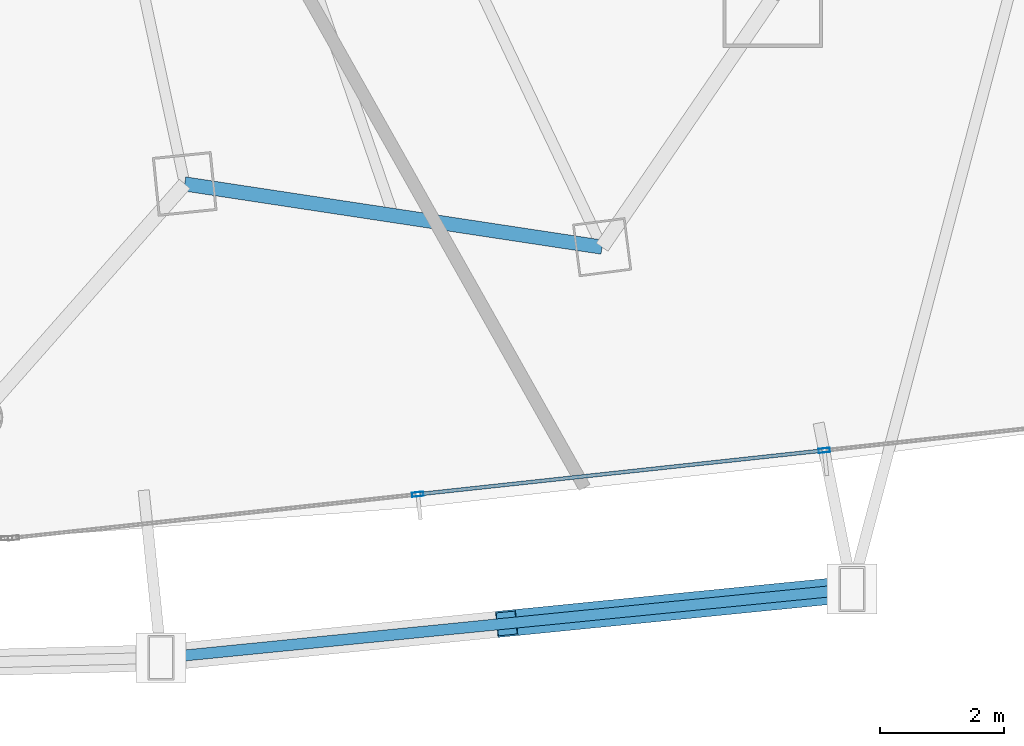
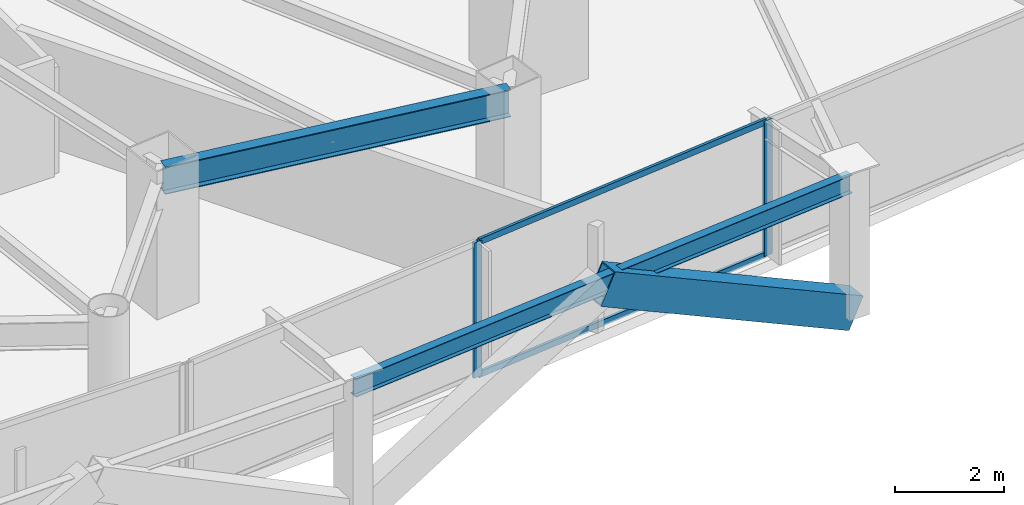
# One storey, part 14 of 38: 5 members, 2 beams, 1 element without a shape of its own.
"""IFC4 building model written with IfcOpenShell, lengths in metres."""

from ifc_helpers import new_model, si_unit, direction, frame, origin, origin_2d, place, context, subcontext, project, spatial, hollow_rectangle, i_section, extrude, material, layer, layer_set, material_profile, profile_set, type_object, element, aggregate, save


model = new_model("IFC4")

# Units and contexts
model_context = context("Model", 3, precision=1e-05, world=origin(), true_north=direction((0.0, 1.0)))
body_context = subcontext(model_context, "Body", "Model", "MODEL_VIEW")
ifc_project = project(units=[si_unit("LENGTHUNIT", "METRE"), si_unit("AREAUNIT", "SQUARE_METRE"), si_unit("VOLUMEUNIT", "CUBIC_METRE"), si_unit("PLANEANGLEUNIT", "RADIAN"), si_unit("MASSUNIT", "GRAM", prefix="KILO")], contexts=[model_context])

# Site, building, storey
site_placement = place(None, origin())
site = spatial("IfcSite", under=ifc_project, at=site_placement, CompositionType="ELEMENT")
building_placement = place(site_placement, origin())
building = spatial("IfcBuilding", under=site, at=building_placement, Name="Orvanel Arch Residences", CompositionType="ELEMENT")
storey_placement = place(building_placement, frame((0.0, 0.0, 56.60009765625)))
storey = spatial("IfcBuildingStorey", under=building, at=storey_placement, Name="L15", CompositionType="ELEMENT", Elevation=56.60009765625)

# Member
ifc_material_1 = material(Name="Structural steel AS/NZS 3678 Grade 350", Category="steel")
ifc_material_profile_1 = material_profile(ifc_material_1, hollow_rectangle(XDim=0.419921875, YDim=0.719970703125, WallThickness=0.02490234375, at=origin_2d()), Name="RHS720x420x25")
ifc_profile_set_1 = profile_set([ifc_material_profile_1], Name="Structural steel AS/NZS 3678 Grade 350")
member_type_1 = type_object("IfcMemberType", Name="BR-720RHS-EXT", PredefinedType="BRACE", material=ifc_profile_set_1)
member_1_placement = place(storey_placement, frame((53.076904296875, 0.843017578125, 0.0), z_axis=(-0.888299543373, -0.088318247551, 0.450692587461), x_axis=(0.09893615251, -0.995093783383, 0.0)))
element("IfcMember", 1, at=member_1_placement, inside=storey, type_object=member_type_1, Name="L15 Exterior Sky-Garden V-Frame Chevron F2B3.2", PredefinedType="BRACE", context=body_context, shape_type="SweptSolid", body=[
    extrude(hollow_rectangle(XDim=0.419921875, YDim=0.719970703125, WallThickness=0.02490234375, at=origin_2d()), origin(), (0.0, 0.0, 1.0), 6.250244140625),
])

# Curtain wall, members
ifc_material_2 = material(Name="Bronze-anodised aluminium AA6063-T6", Category="aluminium")
ifc_layer = layer(ifc_material_2, 0.179931640625)
ifc_layer_set = layer_set([ifc_layer], Name="Bronze-anodised aluminium AA6063-T6")
curtain_wall_type = type_object("IfcCurtainWallType", Name="CW2-LOW-SYS", PredefinedType="NOTDEFINED", material=ifc_layer_set)
curtain_wall_placement = place(storey_placement, origin())
curtain_wall = element("IfcCurtainWall", 2, at=curtain_wall_placement, inside=storey, type_object=curtain_wall_type, Name="L15 CW2-LOW-SYS Unitised Curtain Wall", PredefinedType="NOTDEFINED")
ifc_material_profile_2 = material_profile(ifc_material_2, hollow_rectangle(XDim=0.070068359375, YDim=0.179931640625, WallThickness=0.00439453125, at=origin_2d()), Name="ALU180x70x4.5")
ifc_profile_set_2 = profile_set([ifc_material_profile_2], Name="Bronze-anodised aluminium AA6063-T6")
member_type_2 = type_object("IfcMemberType", Name="MUL-180x70", PredefinedType="MULLION", material=ifc_profile_set_2)
member_2_placement = place(storey_placement, frame((46.096923828125, 2.367431640625, 0.0), z_axis=(0.0, 0.0, 1.0), x_axis=(-0.107357145401, 0.994220520474, 0.0)))
member_2 = element("IfcMember", 3, at=member_2_placement, type_object=member_type_2, Name="CW-S2 mullion 2", PredefinedType="MULLION", context=body_context, shape_type="SweptSolid", body=[
    extrude(hollow_rectangle(XDim=0.070068359375, YDim=0.179931640625, WallThickness=0.00439453125, at=origin_2d()), origin(), (0.0, 0.0, 1.0), 3.02001953125),
])
member_3_placement = place(storey_placement, frame((52.62890625, 3.07275390625, 0.0), z_axis=(0.0, 0.0, 1.0), x_axis=(-0.107357145401, 0.994220520474, 0.0)))
member_3 = element("IfcMember", 4, at=member_3_placement, type_object=member_type_2, Name="CW-S2 mullion 3", PredefinedType="MULLION", context=body_context, shape_type="SweptSolid", body=[
    extrude(hollow_rectangle(XDim=0.070068359375, YDim=0.179931640625, WallThickness=0.00439453125, at=origin_2d()), origin(), (0.0, 0.0, 1.0), 3.02001953125),
])

# Beams
ifc_material_3 = material(Name="Structural steel AS/NZS 3679.1 Grade 300 (300 MPa)", Category="steel")
ifc_material_profile_3 = material_profile(ifc_material_3, i_section(OverallWidth=0.177978515625, OverallDepth=0.406005859375, WebThickness=0.0078125, FlangeThickness=0.0126953125, at=origin_2d()), Name="410UB59.7")
ifc_profile_set_3 = profile_set([ifc_material_profile_3], Name="Structural steel AS/NZS 3679.1 Grade 300 (300 MPa)")
beam_type_1 = type_object("IfcBeamType", Name="OB-410UB-EXT", PredefinedType="SPANDREL", material=ifc_profile_set_3)
beam_1_placement = place(storey_placement, frame((41.971923828125, -0.260986328125, 2.81689453125), z_axis=(0.995094639903, 0.0989275373, 0.0), x_axis=(-0.0989275373, 0.995094639903, 0.0)))
element("IfcBeam", 5, at=beam_1_placement, inside=storey, type_object=beam_type_1, Name="L15 Outer Perimeter Floor Ring Beam 07", PredefinedType="SPANDREL", context=body_context, shape_type="SweptSolid", body=[
    extrude(i_section(OverallWidth=0.177978515625, OverallDepth=0.406005859375, WebThickness=0.0078125, FlangeThickness=0.0126953125, at=origin_2d()), origin(), (0.0, 0.0, 1.0), 11.15966796875),
])
ifc_material_profile_4 = material_profile(ifc_material_3, i_section(OverallWidth=0.22900390625, OverallDepth=0.612060546875, WebThickness=0.011962890625, FlangeThickness=0.01953125, at=origin_2d()), Name="610UB125")
ifc_profile_set_4 = profile_set([ifc_material_profile_4], Name="Structural steel AS/NZS 3679.1 Grade 300 (300 MPa)")
beam_type_2 = type_object("IfcBeamType", Name="SP-610UB", PredefinedType="SPANDREL", material=ifc_profile_set_4)
beam_2_placement = place(storey_placement, frame((42.35107421875, 7.35498046875, 2.7138671875), z_axis=(0.988726323014, -0.149733958002, 0.0), x_axis=(0.149733958002, 0.988726323014, 0.0)))
element("IfcBeam", 6, at=beam_2_placement, inside=storey, type_object=beam_type_2, Name="L15 Perimeter Spandrel Beam 09", PredefinedType="SPANDREL", context=body_context, shape_type="SweptSolid", body=[
    extrude(i_section(OverallWidth=0.22900390625, OverallDepth=0.612060546875, WebThickness=0.011962890625, FlangeThickness=0.01953125, at=origin_2d()), origin(), (0.0, 0.0, 1.0), 6.784423828125),
])

# Member
ifc_material_profile_5 = material_profile(ifc_material_2, hollow_rectangle(XDim=0.06005859375, YDim=0.135009765625, WallThickness=0.00390625, at=origin_2d()), Name="ALU135x60x4")
ifc_profile_set_5 = profile_set([ifc_material_profile_5], Name="Bronze-anodised aluminium AA6063-T6")
member_type_3 = type_object("IfcMemberType", Name="TRN-135x60", PredefinedType="USERDEFINED", material=ifc_profile_set_5)
member_4_placement = place(storey_placement, frame((46.1318359375, 2.37109375, 0.02978515625), z_axis=(0.994221574452, 0.1073473842, 0.0), x_axis=(-0.1073473842, 0.994221574452, 0.0)))
member_4 = element("IfcMember", 7, at=member_4_placement, type_object=member_type_3, Name="CW-S2 transom 2.1", ObjectType="TRANSOM", PredefinedType="USERDEFINED", context=body_context, shape_type="SweptSolid", body=[
    extrude(hollow_rectangle(XDim=0.06005859375, YDim=0.135009765625, WallThickness=0.00390625, at=origin_2d()), origin(), (0.0, 0.0, 1.0), 6.5),
])

member_5_placement = place(storey_placement, frame((46.1318359375, 2.37109375, 2.989990234375), z_axis=(0.994221574452, 0.1073473842, 0.0), x_axis=(-0.1073473842, 0.994221574452, 0.0)))
member_5 = element("IfcMember", 8, at=member_5_placement, type_object=member_type_3, Name="CW-S2 transom 2.2", ObjectType="TRANSOM", PredefinedType="USERDEFINED", context=body_context, shape_type="SweptSolid", body=[
    extrude(hollow_rectangle(XDim=0.06005859375, YDim=0.135009765625, WallThickness=0.00390625, at=origin_2d()), origin(), (0.0, 0.0, 1.0), 6.5),
])

aggregate(curtain_wall, [member_2, member_3, member_4, member_5])

save(model, "model.ifc")
